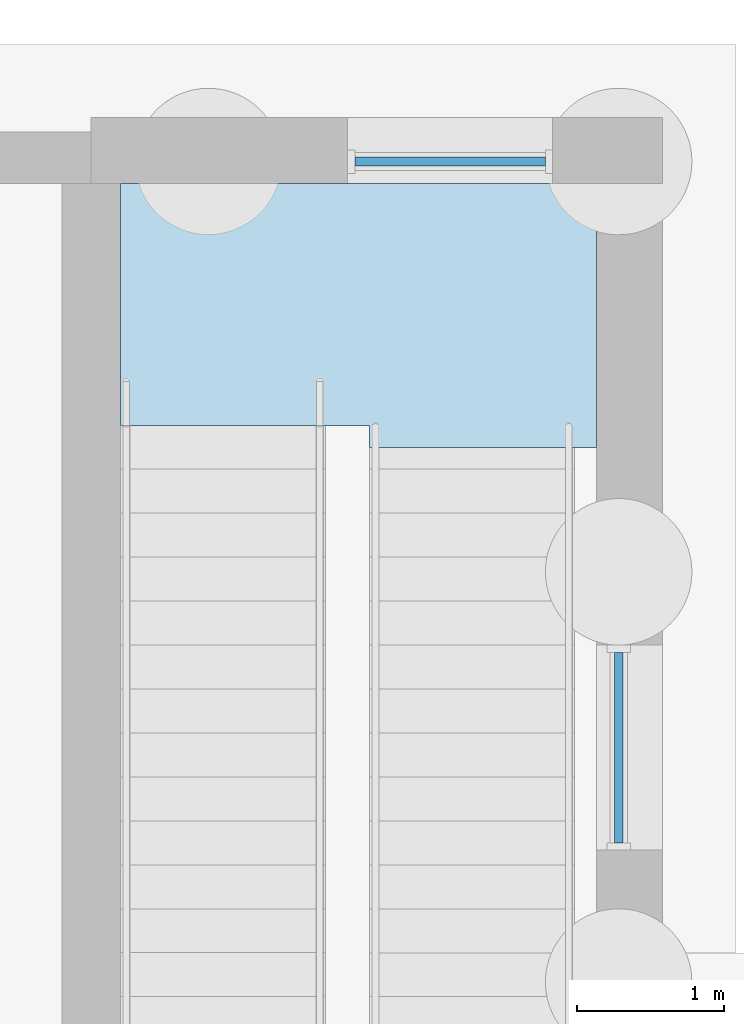
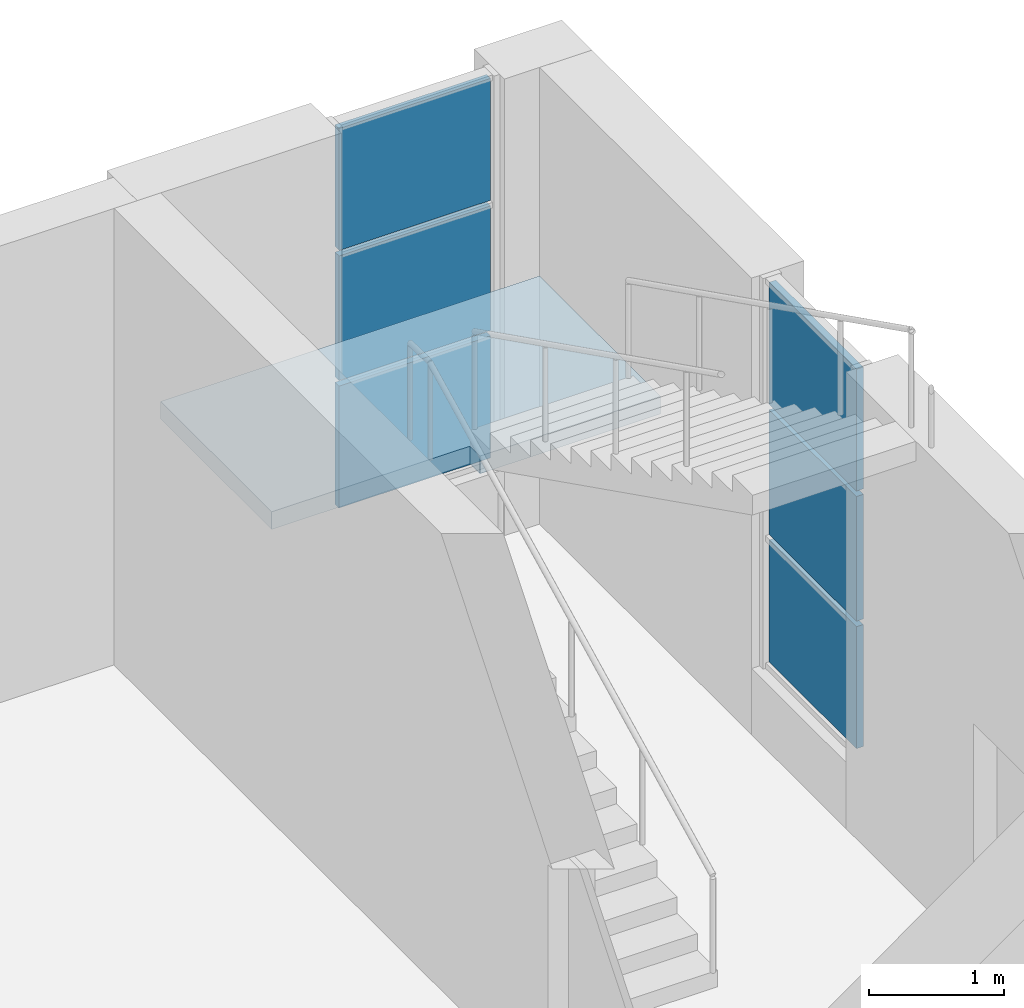
# One storey, part 93 of 138: 6 plates, 1 slab, 3 elements without a shape of their own.
"""IFC4 building model written with IfcOpenShell, lengths in metres."""

from ifc_helpers import new_model, si_unit, direction, frame, origin, origin_2d, place, context, subcontext, project, spatial, polyline, rectangle, outline, extrude, material, layer, layer_set, type_object, element, aggregate, save


model = new_model("IFC4")

# Units and contexts
model_context = context("Model", 3, precision=1e-05, world=origin(), true_north=direction((0.0, 1.0)))
body_context = subcontext(model_context, "Body", "Model", "MODEL_VIEW")
ifc_project = project(units=[si_unit("LENGTHUNIT", "METRE"), si_unit("AREAUNIT", "SQUARE_METRE"), si_unit("VOLUMEUNIT", "CUBIC_METRE"), si_unit("PLANEANGLEUNIT", "RADIAN"), si_unit("MASSUNIT", "GRAM", prefix="KILO")], contexts=[model_context])

# Site, building, storey
site_placement = place(None, origin())
site = spatial("IfcSite", under=ifc_project, at=site_placement, CompositionType="ELEMENT")
building_placement = place(site_placement, origin())
building = spatial("IfcBuilding", under=site, at=building_placement, Name="Yavir Park General Hospital", CompositionType="ELEMENT")
storey_placement = place(building_placement, origin())
storey = spatial("IfcBuildingStorey", under=building, at=storey_placement, Name="L00", CompositionType="ELEMENT", Elevation=0.0)

# Stair, slab
ifc_material_1 = material(Name="Concrete C30/37", Category="concrete")
stair_type = type_object("IfcStairType", Name="Patient escape stair, 30 risers of 150 mm, 1400 mm flights", PredefinedType="HALF_TURN_STAIR", material=ifc_material_1)
stair_placement = place(storey_placement, origin())
stair = element("IfcStair", 1, at=stair_placement, inside=storey, type_object=stair_type, Name="Stair ES3, L00 to L01", PredefinedType="HALF_TURN_STAIR")
ifc_material_2 = material(Name="Concrete C30/37", Category="concrete")
ifc_layer_1 = layer(ifc_material_2, 0.159912109375)
ifc_layer_set_1 = layer_set([ifc_layer_1], Name="Concrete C30/37")
slab_type = type_object("IfcSlabType", Name="Patient escape stair half landing, reinforced concrete 160 mm", PredefinedType="LANDING", material=ifc_layer_set_1)
slab_placement = place(storey_placement, frame((0.0, 0.0, 2.090087890625)))
slab = element("IfcSlab", 2, at=slab_placement, type_object=slab_type, Name="ES3 landing 1", PredefinedType="LANDING", context=body_context, shape_type="SweptSolid", body=[
    extrude(outline(polyline([(164.60009765625, 115.798583984375), (164.60009765625, 117.449951171875), (167.85009765625, 117.449951171875), (167.85009765625, 115.64990234375), (166.300048828125, 115.64990234375), (166.300048828125, 115.798583984375), (164.60009765625, 115.798583984375)])), origin(), (0.0, 0.0, 1.0), 0.159912109375),
])
aggregate(stair, [slab])

# Curtain wall, plates
ifc_material_3 = material(Name="Aluminium curtain wall frame with insulated glazing", Category="aluminium")
curtain_wall_type = type_object("IfcCurtainWallType", Name="Stair light slot, ground floor, 3540 high, 1400 module", PredefinedType="NOTDEFINED", material=ifc_material_3)
curtain_wall_1_placement = place(storey_placement, origin())
curtain_wall_1 = element("IfcCurtainWall", 3, at=curtain_wall_1_placement, inside=storey, type_object=curtain_wall_type, Name="CW19 L00-037", PredefinedType="NOTDEFINED")
ifc_material_4 = material(Name="Impact-resistant glazed unit 60 mm")
ifc_layer_2 = layer(ifc_material_4, 0.06005859375)
ifc_layer_set_2 = layer_set([ifc_layer_2], Name="Impact-resistant glazed unit 60 mm")
plate_type = type_object("IfcPlateType", Name="Stair light slot, ground floor, 3540 high panel 60", PredefinedType="CURTAIN_PANEL", material=ifc_layer_set_2)
plate_1_placement = place(storey_placement, frame((166.85009765625, 117.60009765625, 0.64990234375), z_axis=(0.0, 0.0, 1.0), x_axis=(1.0, 0.0, 0.0)))
plate_1 = element("IfcPlate", 4, at=plate_1_placement, type_object=plate_type, Name="CW19 panel 1.1", PredefinedType="CURTAIN_PANEL", context=body_context, shape_type="SweptSolid", body=[
    extrude(rectangle(XDim=1.300048828125, YDim=0.06005859375, at=origin_2d()), origin(), (0.0, 0.0, 1.0), 1.10498046875),
])
plate_2_placement = place(storey_placement, frame((166.85009765625, 117.60009765625, 1.80517578125), z_axis=(0.0, 0.0, 1.0), x_axis=(1.0, 0.0, 0.0)))
plate_2 = element("IfcPlate", 5, at=plate_2_placement, type_object=plate_type, Name="CW19 panel 1.2", PredefinedType="CURTAIN_PANEL", context=body_context, shape_type="SweptSolid", body=[
    extrude(rectangle(XDim=1.300048828125, YDim=0.06005859375, at=origin_2d()), origin(), (0.0, 0.0, 1.0), 1.1298828125),
])
plate_3_placement = place(storey_placement, frame((166.85009765625, 117.60009765625, 2.985107421875), z_axis=(0.0, 0.0, 1.0), x_axis=(1.0, 0.0, 0.0)))
plate_3 = element("IfcPlate", 6, at=plate_3_placement, type_object=plate_type, Name="CW19 panel 1.3", PredefinedType="CURTAIN_PANEL", context=body_context, shape_type="SweptSolid", body=[
    extrude(rectangle(XDim=1.300048828125, YDim=0.06005859375, at=origin_2d()), origin(), (0.0, 0.0, 1.0), 1.10498046875),
])
aggregate(curtain_wall_1, [plate_1, plate_2, plate_3])

curtain_wall_2_placement = place(storey_placement, origin())
curtain_wall_2 = element("IfcCurtainWall", 7, at=curtain_wall_2_placement, inside=storey, type_object=curtain_wall_type, Name="CW19 L00-077", PredefinedType="NOTDEFINED")
plate_4_placement = place(storey_placement, frame((168.0, 113.60009765625, 0.64990234375), z_axis=(0.0, 0.0, 1.0), x_axis=(0.0, 1.0, 0.0)))
plate_4 = element("IfcPlate", 8, at=plate_4_placement, type_object=plate_type, Name="CW19 panel 1.1", PredefinedType="CURTAIN_PANEL", context=body_context, shape_type="SweptSolid", body=[
    extrude(rectangle(XDim=1.300048828125, YDim=0.06005859375, at=origin_2d()), origin(), (0.0, 0.0, 1.0), 1.10498046875),
])
plate_5_placement = place(storey_placement, frame((168.0, 113.60009765625, 1.80517578125), z_axis=(0.0, 0.0, 1.0), x_axis=(0.0, 1.0, 0.0)))
plate_5 = element("IfcPlate", 9, at=plate_5_placement, type_object=plate_type, Name="CW19 panel 1.2", PredefinedType="CURTAIN_PANEL", context=body_context, shape_type="SweptSolid", body=[
    extrude(rectangle(XDim=1.300048828125, YDim=0.06005859375, at=origin_2d()), origin(), (0.0, 0.0, 1.0), 1.1298828125),
])
plate_6_placement = place(storey_placement, frame((168.0, 113.60009765625, 2.985107421875), z_axis=(0.0, 0.0, 1.0), x_axis=(0.0, 1.0, 0.0)))
plate_6 = element("IfcPlate", 10, at=plate_6_placement, type_object=plate_type, Name="CW19 panel 1.3", PredefinedType="CURTAIN_PANEL", context=body_context, shape_type="SweptSolid", body=[
    extrude(rectangle(XDim=1.300048828125, YDim=0.06005859375, at=origin_2d()), origin(), (0.0, 0.0, 1.0), 1.10498046875),
])
aggregate(curtain_wall_2, [plate_4, plate_5, plate_6])

save(model, "model.ifc")
